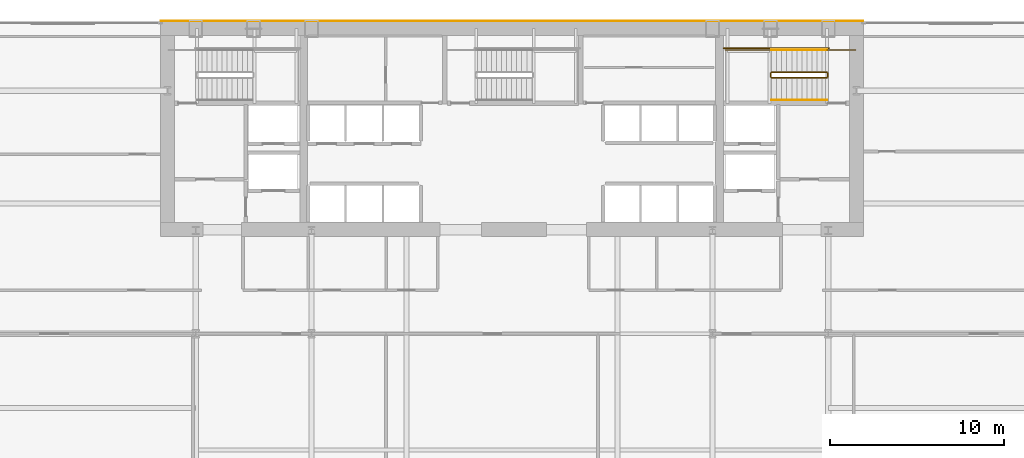
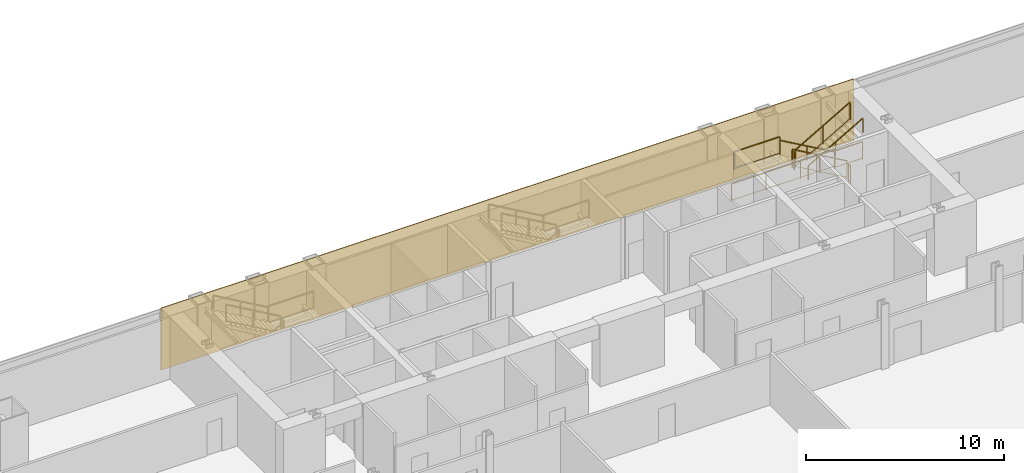
# One storey, part 34 of 35: 9 railings, 1 covering.
"""IFC4 building model written with IfcOpenShell, lengths in metres."""

from ifc_helpers import new_model, si_unit, direction, frame, origin, origin_2d, place, context, subcontext, project, spatial, polyline, rectangle, outline, extrude, material, layer, layer_set, type_object, element, save


model = new_model("IFC4")

# Units and contexts
model_context = context("Model", 3, precision=1e-05, world=origin(), true_north=direction((0.0, 1.0)))
body_context = subcontext(model_context, "Body", "Model", "MODEL_VIEW")
ifc_project = project(units=[si_unit("LENGTHUNIT", "METRE"), si_unit("AREAUNIT", "SQUARE_METRE"), si_unit("VOLUMEUNIT", "CUBIC_METRE"), si_unit("PLANEANGLEUNIT", "RADIAN"), si_unit("MASSUNIT", "GRAM", prefix="KILO")], contexts=[model_context])

# Site, building, storey
site_placement = place(None, origin())
site = spatial("IfcSite", under=ifc_project, at=site_placement, CompositionType="ELEMENT")
building_placement = place(site_placement, origin())
building = spatial("IfcBuilding", under=site, at=building_placement, Name="Khoronbel Lancet Exchange", CompositionType="ELEMENT")
storey_placement = place(building_placement, frame((0.0, 0.0, 69.800048828125)))
storey = spatial("IfcBuildingStorey", under=building, at=storey_placement, Name="L16", CompositionType="ELEMENT", Elevation=69.800048828125)

# Covering
ifc_material_1 = material(Name="Honed Egyptian Limestone & Bronze Rainscreen", Category="masonry")
ifc_layer = layer(ifc_material_1, 0.050048828125, Name="Honed Egyptian Limestone & Bronze Rainscreen")
ifc_layer_set = layer_set([ifc_layer], Name="Honed Egyptian Limestone & Bronze Rainscreen")
covering_type = type_object("IfcCoveringType", Name="COV-CLAD1", PredefinedType="CLADDING", material=ifc_layer_set)
covering_placement = place(storey_placement, origin())
element("IfcCovering", 1, at=covering_placement, inside=storey, type_object=covering_type, Name="Level L16 north rear-core stone and bronze rainscreen cladding", PredefinedType="CLADDING", context=body_context, shape_type="SweptSolid", body=[
    extrude(outline(polyline([(16.199951171875, 53.699951171875), (56.699951171875, 53.699951171875), (56.699951171875, 53.75), (16.199951171875, 53.75), (16.199951171875, 53.699951171875)])), origin(), (0.0, 0.0, 1.0), 3.820068359375),
])

# Railings
ifc_material_2 = material(Name="Painted Steel Balustrade", Category="steel")
railing_type_1 = type_object("IfcRailingType", Name="RL-STG110", PredefinedType="GUARDRAIL", material=ifc_material_2)
railing_1_placement = place(storey_placement, frame((54.60009765625, 50.77001953125, 0.16650390625)))
element("IfcRailing", 2, at=railing_1_placement, inside=storey, type_object=railing_type_1, Name="L16 ST2 stair guard 1", PredefinedType="GUARDRAIL", context=body_context, shape_type="SweptSolid", body=[
    extrude(rectangle(XDim=0.048095703125, YDim=0.048095703125, at=origin_2d()), frame((0.0, 0.0, 1.09619140625), z_axis=(-0.867007354286, 0.0, 0.498295341753), x_axis=(0.0, -1.0, 0.0)), (0.0, 0.0, 1.0), 3.679443359375),
    extrude(rectangle(XDim=0.02392578125, YDim=0.02392578125, at=origin_2d()), frame((0.0, 0.0, 0.080078125), z_axis=(-0.867007354286, 0.0, 0.498295341753), x_axis=(0.0, -1.0, 0.0)), (0.0, 0.0, 1.0), 3.679443359375),
    extrude(rectangle(XDim=0.0419921875, YDim=0.0419921875, at=origin_2d()), origin(), (0.0, 0.0, 1.0), 1.072021484375),
    extrude(rectangle(XDim=0.0419921875, YDim=0.0419921875, at=origin_2d()), frame((-1.59521484375, 0.0, 0.916748046875)), (0.0, 0.0, 1.0), 1.072021484375),
    extrude(rectangle(XDim=0.0419921875, YDim=0.0419921875, at=origin_2d()), frame((-3.190185546875, 0.0, 1.83349609375)), (0.0, 0.0, 1.0), 1.072021484375),
])
railing_2_placement = place(storey_placement, frame((51.360107421875, 50.719970703125, 2.0)))
element("IfcRailing", 3, at=railing_2_placement, inside=storey, type_object=railing_type_1, Name="L16 ST2 stair guard 2", PredefinedType="GUARDRAIL", context=body_context, shape_type="SweptSolid", body=[
    extrude(rectangle(XDim=0.048095703125, YDim=0.048095703125, at=origin_2d()), frame((0.0, 0.0, 1.09619140625), z_axis=(0.0, -1.0, 0.0), x_axis=(1.0, 0.0, 0.0)), (0.0, 0.0, 1.0), 0.219970703125),
    extrude(rectangle(XDim=0.02392578125, YDim=0.02392578125, at=origin_2d()), frame((0.0, 0.0, 0.080078125), z_axis=(0.0, -1.0, 0.0), x_axis=(1.0, 0.0, 0.0)), (0.0, 0.0, 1.0), 0.219970703125),
    extrude(rectangle(XDim=0.0419921875, YDim=0.0419921875, at=origin_2d()), origin(), (0.0, 0.0, 1.0), 1.072021484375),
    extrude(rectangle(XDim=0.0419921875, YDim=0.0419921875, at=origin_2d()), frame((0.0, -0.219970703125, 0.0)), (0.0, 0.0, 1.0), 1.072021484375),
])
railing_3_placement = place(storey_placement, frame((51.409912109375, 52.050048828125, 2.0)))
element("IfcRailing", 4, at=railing_3_placement, inside=storey, type_object=railing_type_1, Name="L16 ST2 stair guard 3", PredefinedType="GUARDRAIL", context=body_context, shape_type="SweptSolid", body=[
    extrude(rectangle(XDim=0.048095703125, YDim=0.048095703125, at=origin_2d()), frame((0.0, 0.0, 1.09619140625), z_axis=(-1.0, 0.0, 0.0), x_axis=(0.0, -1.0, 0.0)), (0.0, 0.0, 1.0), 2.659912109375),
    extrude(rectangle(XDim=0.02392578125, YDim=0.02392578125, at=origin_2d()), frame((0.0, 0.0, 0.080078125), z_axis=(-1.0, 0.0, 0.0), x_axis=(0.0, -1.0, 0.0)), (0.0, 0.0, 1.0), 2.659912109375),
    extrude(rectangle(XDim=0.0419921875, YDim=0.0419921875, at=origin_2d()), origin(), (0.0, 0.0, 1.0), 1.072021484375),
    extrude(rectangle(XDim=0.0419921875, YDim=0.0419921875, at=origin_2d()), frame((-2.659912109375, 0.0, 0.0)), (0.0, 0.0, 1.0), 1.072021484375),
])
railing_4_placement = place(storey_placement, frame((51.409912109375, 50.449951171875, 2.16650390625)))
element("IfcRailing", 5, at=railing_4_placement, inside=storey, type_object=railing_type_1, Name="L16 ST2 stair guard 4", PredefinedType="GUARDRAIL", context=body_context, shape_type="SweptSolid", body=[
    extrude(rectangle(XDim=0.048095703125, YDim=0.048095703125, at=origin_2d()), frame((0.0, 0.0, 1.09619140625), z_axis=(0.867007354286, 0.0, 0.498295341753), x_axis=(0.0, 1.0, 0.0)), (0.0, 0.0, 1.0), 3.679443359375),
    extrude(rectangle(XDim=0.02392578125, YDim=0.02392578125, at=origin_2d()), frame((0.0, 0.0, 0.080078125), z_axis=(0.867007354286, 0.0, 0.498295341753), x_axis=(0.0, 1.0, 0.0)), (0.0, 0.0, 1.0), 3.679443359375),
    extrude(rectangle(XDim=0.0419921875, YDim=0.0419921875, at=origin_2d()), origin(), (0.0, 0.0, 1.0), 1.072021484375),
    extrude(rectangle(XDim=0.0419921875, YDim=0.0419921875, at=origin_2d()), frame((1.59521484375, 0.0, 0.916748046875)), (0.0, 0.0, 1.0), 1.072021484375),
    extrude(rectangle(XDim=0.0419921875, YDim=0.0419921875, at=origin_2d()), frame((3.190185546875, 0.0, 1.83349609375)), (0.0, 0.0, 1.0), 1.072021484375),
])
railing_5_placement = place(storey_placement, frame((54.64990234375, 50.719970703125, 0.0)))
element("IfcRailing", 6, at=railing_5_placement, inside=storey, type_object=railing_type_1, Name="L16 ST2 stair guard 5", PredefinedType="GUARDRAIL", context=body_context, shape_type="SweptSolid", body=[
    extrude(rectangle(XDim=0.048095703125, YDim=0.048095703125, at=origin_2d()), frame((0.0, 0.0, 1.09619140625), z_axis=(0.0, -1.0, 0.0), x_axis=(1.0, 0.0, 0.0)), (0.0, 0.0, 1.0), 0.219970703125),
    extrude(rectangle(XDim=0.02392578125, YDim=0.02392578125, at=origin_2d()), frame((0.0, 0.0, 0.080078125), z_axis=(0.0, -1.0, 0.0), x_axis=(1.0, 0.0, 0.0)), (0.0, 0.0, 1.0), 0.219970703125),
    extrude(rectangle(XDim=0.0419921875, YDim=0.0419921875, at=origin_2d()), origin(), (0.0, 0.0, 1.0), 1.072021484375),
    extrude(rectangle(XDim=0.0419921875, YDim=0.0419921875, at=origin_2d()), frame((0.0, -0.219970703125, 0.0)), (0.0, 0.0, 1.0), 1.072021484375),
])
railing_6_placement = place(storey_placement, frame((56.25, 52.050048828125, 0.0)))
element("IfcRailing", 7, at=railing_6_placement, inside=storey, type_object=railing_type_1, Name="L16 ST2 stair guard 6", PredefinedType="GUARDRAIL", context=body_context, shape_type="SweptSolid", body=[
    extrude(rectangle(XDim=0.048095703125, YDim=0.048095703125, at=origin_2d()), frame((0.0, 0.0, 1.09619140625), z_axis=(-1.0, 0.0, 0.0), x_axis=(0.0, -1.0, 0.0)), (0.0, 0.0, 1.0), 1.64990234375),
    extrude(rectangle(XDim=0.02392578125, YDim=0.02392578125, at=origin_2d()), frame((0.0, 0.0, 0.080078125), z_axis=(-1.0, 0.0, 0.0), x_axis=(0.0, -1.0, 0.0)), (0.0, 0.0, 1.0), 1.64990234375),
    extrude(rectangle(XDim=0.0419921875, YDim=0.0419921875, at=origin_2d()), origin(), (0.0, 0.0, 1.0), 1.072021484375),
    extrude(rectangle(XDim=0.0419921875, YDim=0.0419921875, at=origin_2d()), frame((-1.64990234375, 0.0, 0.0)), (0.0, 0.0, 1.0), 1.072021484375),
])
railing_7_placement = place(storey_placement, frame((54.699951171875, 52.14990234375, 0.0)))
element("IfcRailing", 8, at=railing_7_placement, inside=storey, type_object=railing_type_1, Name="L16 ST2 stair guard 7", PredefinedType="GUARDRAIL", context=body_context, shape_type="SweptSolid", body=[
    extrude(rectangle(XDim=0.048095703125, YDim=0.048095703125, at=origin_2d()), frame((0.0, 0.0, 1.09619140625), z_axis=(-1.0, 0.0, 0.0), x_axis=(0.0, -1.0, 0.0)), (0.0, 0.0, 1.0), 6.050048828125),
    extrude(rectangle(XDim=0.02392578125, YDim=0.02392578125, at=origin_2d()), frame((0.0, 0.0, 0.080078125), z_axis=(-1.0, 0.0, 0.0), x_axis=(0.0, -1.0, 0.0)), (0.0, 0.0, 1.0), 6.050048828125),
    extrude(rectangle(XDim=0.0419921875, YDim=0.0419921875, at=origin_2d()), origin(), (0.0, 0.0, 1.0), 1.072021484375),
    extrude(rectangle(XDim=0.0419921875, YDim=0.0419921875, at=origin_2d()), frame((-2.0166015625, 0.0, 0.0)), (0.0, 0.0, 1.0), 1.072021484375),
    extrude(rectangle(XDim=0.0419921875, YDim=0.0419921875, at=origin_2d()), frame((-4.033447265625, 0.0, 0.0)), (0.0, 0.0, 1.0), 1.072021484375),
    extrude(rectangle(XDim=0.0419921875, YDim=0.0419921875, at=origin_2d()), frame((-6.050048828125, 0.0, 0.0)), (0.0, 0.0, 1.0), 1.072021484375),
])
ifc_material_3 = material(Name="Brushed Stainless Steel 316", Category="steel")
railing_type_2 = type_object("IfcRailingType", Name="RL-STH92", PredefinedType="HANDRAIL", material=ifc_material_3)
railing_8_placement = place(storey_placement, frame((54.60009765625, 52.050048828125, 0.16650390625)))
element("IfcRailing", 9, at=railing_8_placement, inside=storey, type_object=railing_type_2, Name="L16 ST2 stair handrail 1", PredefinedType="HANDRAIL", context=body_context, shape_type="SweptSolid", body=[
    extrude(rectangle(XDim=0.048095703125, YDim=0.048095703125, at=origin_2d()), frame((0.0, 0.0, 0.8759765625), z_axis=(-0.867007354286, 0.0, 0.498295341753), x_axis=(0.0, -1.0, 0.0)), (0.0, 0.0, 1.0), 3.679443359375),
    extrude(rectangle(XDim=0.0419921875, YDim=0.0419921875, at=origin_2d()), origin(), (0.0, 0.0, 1.0), 0.851806640625),
    extrude(rectangle(XDim=0.0419921875, YDim=0.0419921875, at=origin_2d()), frame((-1.59521484375, 0.0, 0.916748046875)), (0.0, 0.0, 1.0), 0.851806640625),
    extrude(rectangle(XDim=0.0419921875, YDim=0.0419921875, at=origin_2d()), frame((-3.190185546875, 0.0, 1.83349609375)), (0.0, 0.0, 1.0), 0.851806640625),
])
railing_9_placement = place(storey_placement, frame((51.409912109375, 49.169921875, 2.16650390625)))
element("IfcRailing", 10, at=railing_9_placement, inside=storey, type_object=railing_type_2, Name="L16 ST2 stair handrail 2", PredefinedType="HANDRAIL", context=body_context, shape_type="SweptSolid", body=[
    extrude(rectangle(XDim=0.048095703125, YDim=0.048095703125, at=origin_2d()), frame((0.0, 0.0, 0.8759765625), z_axis=(0.867007354286, 0.0, 0.498295341753), x_axis=(0.0, 1.0, 0.0)), (0.0, 0.0, 1.0), 3.679443359375),
    extrude(rectangle(XDim=0.0419921875, YDim=0.0419921875, at=origin_2d()), origin(), (0.0, 0.0, 1.0), 0.851806640625),
    extrude(rectangle(XDim=0.0419921875, YDim=0.0419921875, at=origin_2d()), frame((1.59521484375, 0.0, 0.916748046875)), (0.0, 0.0, 1.0), 0.851806640625),
    extrude(rectangle(XDim=0.0419921875, YDim=0.0419921875, at=origin_2d()), frame((3.190185546875, 0.0, 1.83349609375)), (0.0, 0.0, 1.0), 0.851806640625),
])

save(model, "model.ifc")
